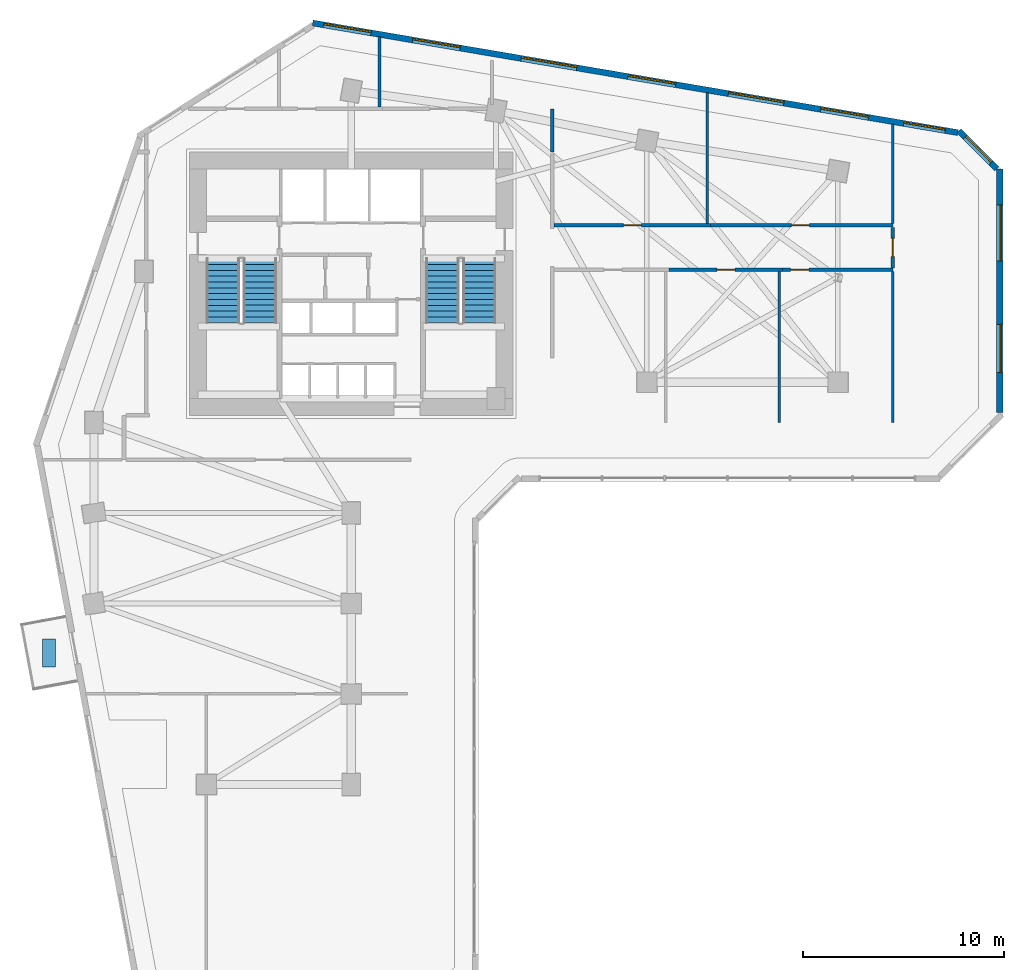
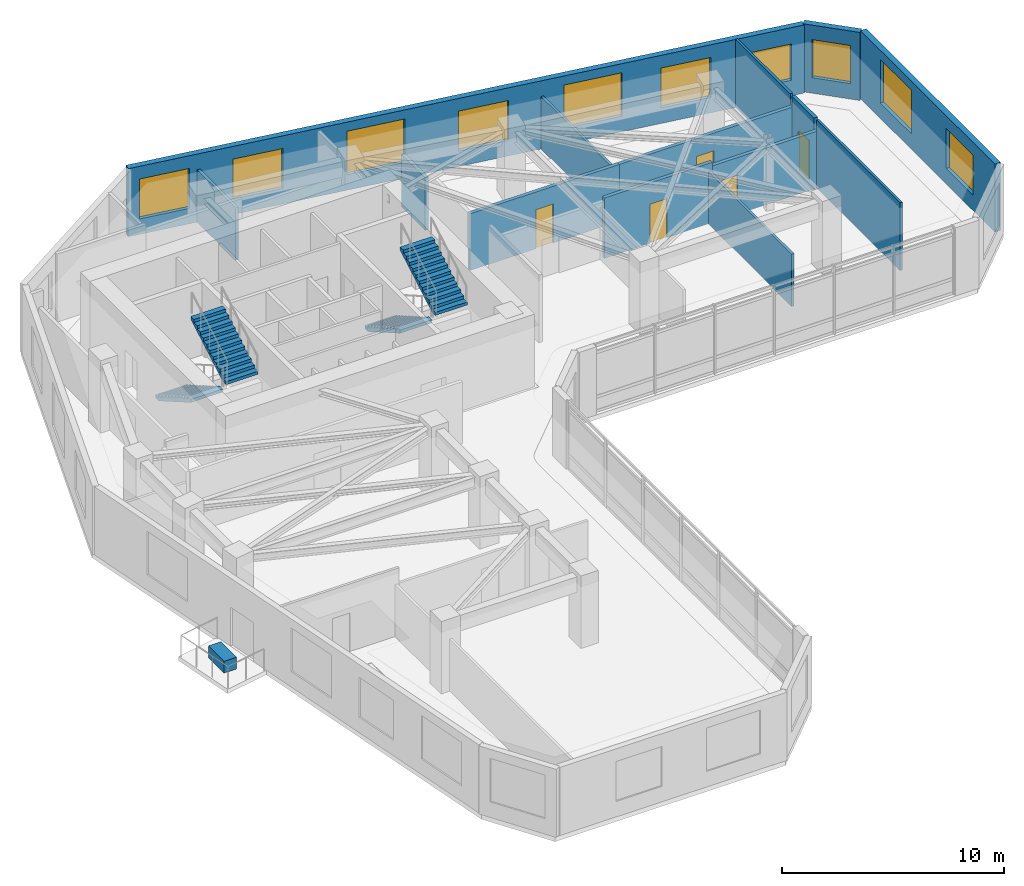
# One storey, part 7 of 9: 14 walls, 10 windows, 5 doors, 4 stair flights, 1 discrete accessory, 15 openings, 2 elements without a shape of their own.
"""IFC4 building model written with IfcOpenShell, lengths in metres."""

from ifc_helpers import new_model, si_unit, direction, frame, frame_2d, origin, origin_2d, place, context, subcontext, project, spatial, polyline, rectangle, outline, extrude, source, transform, mapped, material, layer, layer_set, type_object, element, fill, aggregate, save


model = new_model("IFC4")

# Units and contexts
model_context = context("Model", 3, precision=1e-05, world=origin(), true_north=direction((0.0, 1.0)))
body_context = subcontext(model_context, "Body", "Model", "MODEL_VIEW")
ifc_project = project(units=[si_unit("LENGTHUNIT", "METRE"), si_unit("AREAUNIT", "SQUARE_METRE"), si_unit("VOLUMEUNIT", "CUBIC_METRE"), si_unit("PLANEANGLEUNIT", "RADIAN"), si_unit("MASSUNIT", "GRAM", prefix="KILO")], contexts=[model_context])

# Site, building, storey
site_placement = place(None, origin())
site = spatial("IfcSite", under=ifc_project, at=site_placement, CompositionType="ELEMENT")
building_placement = place(site_placement, origin())
building = spatial("IfcBuilding", under=site, at=building_placement, Name="Calvemar Wedge Station Tower", CompositionType="ELEMENT")
storey_placement = place(building_placement, frame((0.0, 0.0, 71.0)))
storey = spatial("IfcBuildingStorey", under=building, at=storey_placement, Name="L17", CompositionType="ELEMENT", Elevation=71.0)

# Wall
ifc_material_1 = material(Name="Double-stud fire-rated corridor partition")
ifc_layer_1 = layer(ifc_material_1, 0.179931640625)
ifc_layer_set_1 = layer_set([ifc_layer_1], Name="Double-stud fire-rated corridor partition")
wall_type_1 = type_object("IfcWallType", Name="W-CORR-180", PredefinedType="PARTITIONING", material=ifc_layer_set_1)
wall_1_placement = place(storey_placement, frame((33.800048828125, 48.60009765625, 0.0), z_axis=(0.0, 0.0, 1.0), x_axis=(0.0, -1.0, 0.0)))
element("IfcWall", 1, at=wall_1_placement, inside=storey, type_object=wall_type_1, Name="Storey L17 Interior Partition WL-L17-014", PredefinedType="PARTITIONING", context=body_context, shape_type="SweptSolid", body=[
    extrude(rectangle(XDim=2.150146484375, YDim=0.179931640625, at=frame_2d((1.0751953125, 0.0))), origin(), (0.0, 0.0, 1.0), 2.89208984375),
])

# Wall, opening, door
wall_2_placement = place(storey_placement, frame((45.25, 40.60009765625, 0.0), z_axis=(0.0, 0.0, 1.0), x_axis=(-1.0, 0.0, 0.0)))
wall_2 = element("IfcWall", 2, at=wall_2_placement, inside=storey, type_object=wall_type_1, Name="Storey L17 Interior Partition WL-L17-021", PredefinedType="PARTITIONING", context=body_context, shape_type="SweptSolid", body=[
    extrude(rectangle(XDim=5.64306640625, YDim=0.179931640625, at=frame_2d((2.821533203125, 0.0))), origin(), (0.0, 0.0, 1.0), 3.322021484375),
])
shared_shape_1 = source(origin(), body_context, "Body", "SweptSolid", [
    extrude(rectangle(XDim=0.89990234375, YDim=2.14990234375, at=frame_2d((0.449951171875, 1.074951171875))), frame((0.0, 0.10009765625, 0.0), z_axis=(0.0, -1.0, 0.0), x_axis=(1.0, 0.0, 0.0)), (0.0, 0.0, 1.0), 0.199951171875),
])
opening_1_placement = place(wall_2_placement, frame((2.37158203125, 0.0, 0.0)))
opening_1 = element("IfcOpeningElement", 3, at=opening_1_placement, cuts=wall_2, Name="Opening D-01", PredefinedType="OPENING", context=body_context, shape_type="MappedRepresentation", body=[
    mapped(shared_shape_1, transform((0.0, 0.0, 0.0), scale=1.0)),
])
ifc_material_2 = material(Name="Architectural hardwood acoustic swing door", Category="wood")
door_type = type_object("IfcDoorType", Name="DR-INT-900", OperationType="NOTDEFINED", PredefinedType="DOOR", material=ifc_material_2)
shared_shape_2 = source(origin(), body_context, "Body", "SweptSolid", [
    extrude(rectangle(XDim=0.89990234375, YDim=2.14990234375, at=frame_2d((0.449951171875, 1.074951171875))), frame((0.0, 0.02490234375, 0.0), z_axis=(0.0, -1.0, 0.0), x_axis=(1.0, 0.0, 0.0)), (0.0, 0.0, 1.0), 0.050048828125),
])
door_1_placement = place(opening_1_placement, origin())
door_1 = element("IfcDoor", 4, at=door_1_placement, inside=storey, type_object=door_type, Name="L17 Co-Working Studio Door", OperationType="SINGLE_SWING_RIGHT", OverallHeight=2.14990234375, OverallWidth=0.89990234375, PredefinedType="DOOR", context=body_context, shape_type="MappedRepresentation", body=[
    mapped(shared_shape_2, transform((0.0, 0.0, 0.0), scale=1.0)),
])
fill(opening_1, door_1)

wall_3_placement = place(storey_placement, frame((50.735107421875, 40.60009765625, 0.0), z_axis=(0.0, 0.0, 1.0), x_axis=(-1.0, 0.0, 0.0)))
wall_3 = element("IfcWall", 5, at=wall_3_placement, inside=storey, type_object=wall_type_1, Name="Storey L17 Interior Partition WL-L17-022", PredefinedType="PARTITIONING", context=body_context, shape_type="SweptSolid", body=[
    extrude(rectangle(XDim=5.483154296875, YDim=0.179931640625, at=frame_2d((2.74169921875, 0.0))), origin(), (0.0, 0.0, 1.0), 3.125),
])
opening_2_placement = place(wall_3_placement, frame((4.18115234375, 0.0, 0.0)))
opening_2 = element("IfcOpeningElement", 6, at=opening_2_placement, cuts=wall_3, Name="Opening D-01", PredefinedType="OPENING", context=body_context, shape_type="MappedRepresentation", body=[
    mapped(shared_shape_1, transform((0.0, 0.0, 0.0), scale=1.0)),
])
door_2_placement = place(opening_2_placement, origin())
door_2 = element("IfcDoor", 7, at=door_2_placement, inside=storey, type_object=door_type, Name="L17 Meeting Room Door", OperationType="SINGLE_SWING_LEFT", OverallHeight=2.14990234375, OverallWidth=0.89990234375, PredefinedType="DOOR", context=body_context, shape_type="MappedRepresentation", body=[
    mapped(shared_shape_2, transform((0.0, 0.0, 0.0), scale=1.0)),
])
fill(opening_2, door_2)

wall_4_placement = place(storey_placement, frame((33.89404296875, 42.800048828125, 0.0), z_axis=(0.0, 0.0, 1.0), x_axis=(1.0, 0.0, 0.0)))
wall_4 = element("IfcWall", 8, at=wall_4_placement, inside=storey, type_object=wall_type_1, Name="Storey L17 Interior Partition WL-L17-023", PredefinedType="PARTITIONING", context=body_context, shape_type="SweptSolid", body=[
    extrude(rectangle(XDim=7.765869140625, YDim=0.179931640625, at=frame_2d((3.8828125, 0.0))), origin(), (0.0, 0.0, 1.0), 3.125),
])
opening_3_placement = place(wall_4_placement, frame((3.43310546875, 0.0, 0.0)))
opening_3 = element("IfcOpeningElement", 9, at=opening_3_placement, cuts=wall_4, Name="Opening D-01", PredefinedType="OPENING", context=body_context, shape_type="MappedRepresentation", body=[
    mapped(shared_shape_1, transform((0.0, 0.0, 0.0), scale=1.0)),
])
door_3_placement = place(opening_3_placement, origin())
door_3 = element("IfcDoor", 10, at=door_3_placement, inside=storey, type_object=door_type, Name="L17 Meeting Room Door", OperationType="SINGLE_SWING_RIGHT", OverallHeight=2.14990234375, OverallWidth=0.89990234375, PredefinedType="DOOR", context=body_context, shape_type="MappedRepresentation", body=[
    mapped(shared_shape_2, transform((0.0, 0.0, 0.0), scale=1.0)),
])
fill(opening_3, door_3)

wall_5_placement = place(storey_placement, frame((41.662109375, 42.800048828125, 0.0), z_axis=(0.0, 0.0, 1.0), x_axis=(1.0, 0.0, 0.0)))
wall_5 = element("IfcWall", 11, at=wall_5_placement, inside=storey, type_object=wall_type_1, Name="Storey L17 Interior Partition WL-L17-024", PredefinedType="PARTITIONING", context=body_context, shape_type="SweptSolid", body=[
    extrude(rectangle(XDim=9.072998046875, YDim=0.179931640625, at=frame_2d((4.53662109375, 0.0))), origin(), (0.0, 0.0, 1.0), 3.125),
])
opening_4_placement = place(wall_5_placement, frame((4.026123046875, 0.0, 0.0)))
opening_4 = element("IfcOpeningElement", 12, at=opening_4_placement, cuts=wall_5, Name="Opening D-01", PredefinedType="OPENING", context=body_context, shape_type="MappedRepresentation", body=[
    mapped(shared_shape_1, transform((0.0, 0.0, 0.0), scale=1.0)),
])
door_4_placement = place(opening_4_placement, origin())
door_4 = element("IfcDoor", 13, at=door_4_placement, inside=storey, type_object=door_type, Name="L17 Co-Working Studio Door", OperationType="SINGLE_SWING_LEFT", OverallHeight=2.14990234375, OverallWidth=0.89990234375, PredefinedType="DOOR", context=body_context, shape_type="MappedRepresentation", body=[
    mapped(shared_shape_2, transform((0.0, 0.0, 0.0), scale=1.0)),
])
fill(opening_4, door_4)

wall_6_placement = place(storey_placement, frame((50.735107421875, 42.7060546875, 0.0), z_axis=(0.0, 0.0, 1.0), x_axis=(0.0, -1.0, 0.0)))
wall_6 = element("IfcWall", 14, at=wall_6_placement, inside=storey, type_object=wall_type_1, Name="Storey L17 Interior Partition WL-L17-025", PredefinedType="PARTITIONING", context=body_context, shape_type="SweptSolid", body=[
    extrude(rectangle(XDim=2.011962890625, YDim=0.179931640625, at=frame_2d((1.005859375, 0.0))), origin(), (0.0, 0.0, 1.0), 3.75),
])
opening_5_placement = place(wall_6_placement, frame((0.555908203125, 0.0, 0.0)))
opening_5 = element("IfcOpeningElement", 15, at=opening_5_placement, cuts=wall_6, Name="Opening D-01", PredefinedType="OPENING", context=body_context, shape_type="MappedRepresentation", body=[
    mapped(shared_shape_1, transform((0.0, 0.0, 0.0), scale=1.0)),
])
door_5_placement = place(opening_5_placement, origin())
door_5 = element("IfcDoor", 16, at=door_5_placement, inside=storey, type_object=door_type, Name="L17 Conference Hall Door", OperationType="SINGLE_SWING_RIGHT", OverallHeight=2.14990234375, OverallWidth=0.89990234375, PredefinedType="DOOR", context=body_context, shape_type="MappedRepresentation", body=[
    mapped(shared_shape_2, transform((0.0, 0.0, 0.0), scale=1.0)),
])
fill(opening_5, door_5)

# Wall, openings, windows
ifc_material_3 = material(Name="Precast concrete C45", Category="concrete")
ifc_layer_2 = layer(ifc_material_3, 0.300048828125)
ifc_layer_set_2 = layer_set([ifc_layer_2], Name="Precast concrete C45")
wall_type_2 = type_object("IfcWallType", Name="W-EXT-GFRC-300", PredefinedType="SOLIDWALL", material=ifc_layer_set_2)
wall_7_placement = place(storey_placement, frame((56.050048828125, 33.4853515625, 0.0), z_axis=(0.0, 0.0, 1.0), x_axis=(0.0, 1.0, 0.0)))
wall_7 = element("IfcWall", 17, at=wall_7_placement, inside=storey, type_object=wall_type_2, Name="Storey L17 Bronze GFRC Exterior Wall 8", PredefinedType="SOLIDWALL", context=body_context, shape_type="SweptSolid", body=[
    extrude(rectangle(XDim=12.130615234375, YDim=0.300048828125, at=frame_2d((6.0654296875, 0.0))), origin(), (0.0, 0.0, 1.0), 3.75),
])
shared_shape_3 = source(origin(), body_context, "Body", "SweptSolid", [
    extrude(rectangle(XDim=2.39990234375, YDim=2.199951171875, at=frame_2d((1.199951171875, 1.10009765625))), frame((0.0, 0.16015625, 0.0), z_axis=(0.0, -1.0, 0.0), x_axis=(1.0, 0.0, 0.0)), (0.0, 0.0, 1.0), 0.320068359375),
])
opening_6_placement = place(wall_7_placement, frame((1.992919921875, 0.0, 0.85009765625)))
opening_6 = element("IfcOpeningElement", 18, at=opening_6_placement, cuts=wall_7, Name="Opening W1", PredefinedType="OPENING", context=body_context, shape_type="MappedRepresentation", body=[
    mapped(shared_shape_3, transform((0.0, 0.0, 0.0), scale=1.0)),
])
shared_shape_4 = source(origin(), body_context, "Body", "SweptSolid", [
    extrude(rectangle(XDim=2.800048828125, YDim=2.39990234375, at=frame_2d((1.39990234375, 1.199951171875))), frame((0.0, 0.16015625, 0.0), z_axis=(0.0, -1.0, 0.0), x_axis=(1.0, 0.0, 0.0)), (0.0, 0.0, 1.0), 0.320068359375),
])
opening_7_placement = place(wall_7_placement, frame((7.5380859375, 0.0, 0.85009765625)))
opening_7 = element("IfcOpeningElement", 19, at=opening_7_placement, cuts=wall_7, Name="Opening W6", PredefinedType="OPENING", context=body_context, shape_type="MappedRepresentation", body=[
    mapped(shared_shape_4, transform((0.0, 0.0, 0.0), scale=1.0)),
])
ifc_material_4 = material(Name="Low-E laminated insulated glass", Category="glass")
window_type_1 = type_object("IfcWindowType", Name="WIN-EXT-6", PartitioningType="SINGLE_PANEL", PredefinedType="WINDOW", material=ifc_material_4)
shared_shape_5 = source(origin(), body_context, "Body", "SweptSolid", [
    extrude(rectangle(XDim=2.800048828125, YDim=2.39990234375, at=frame_2d((1.39990234375, 1.199951171875))), frame((0.0, -0.014892578125, 0.0), z_axis=(0.0, -1.0, 0.0), x_axis=(1.0, 0.0, 0.0)), (0.0, 0.0, 1.0), 0.06005859375),
])
window_1_placement = place(opening_7_placement, origin())
window_1 = element("IfcWindow", 20, at=window_1_placement, inside=storey, type_object=window_type_1, Name="Storey L17 Recessed Window 8.2", OverallHeight=2.39990234375, OverallWidth=2.800048828125, PartitioningType="SINGLE_PANEL", PredefinedType="WINDOW", context=body_context, shape_type="MappedRepresentation", body=[
    mapped(shared_shape_5, transform((0.0, 0.0, 0.0), scale=1.0)),
])
fill(opening_7, window_1)
window_type_2 = type_object("IfcWindowType", Name="WIN-EXT-1", PartitioningType="SINGLE_PANEL", PredefinedType="WINDOW", material=ifc_material_4)
shared_shape_6 = source(origin(), body_context, "Body", "SweptSolid", [
    extrude(rectangle(XDim=2.39990234375, YDim=2.199951171875, at=frame_2d((1.199951171875, 1.10009765625))), frame((0.0, -0.014892578125, 0.0), z_axis=(0.0, -1.0, 0.0), x_axis=(1.0, 0.0, 0.0)), (0.0, 0.0, 1.0), 0.06005859375),
])
window_2_placement = place(opening_6_placement, origin())
window_2 = element("IfcWindow", 21, at=window_2_placement, inside=storey, type_object=window_type_2, Name="Storey L17 Recessed Window 8.1", OverallHeight=2.199951171875, OverallWidth=2.39990234375, PartitioningType="SINGLE_PANEL", PredefinedType="WINDOW", context=body_context, shape_type="MappedRepresentation", body=[
    mapped(shared_shape_6, transform((0.0, 0.0, 0.0), scale=1.0)),
])
fill(opening_6, window_2)

# Wall, opening, window
wall_8_placement = place(storey_placement, frame((55.912109375, 45.60400390625, 0.0), z_axis=(0.0, 0.0, 1.0), x_axis=(-0.707152443695, 0.707061115729, 0.0)))
wall_8 = element("IfcWall", 22, at=wall_8_placement, inside=storey, type_object=wall_type_2, Name="Storey L17 Bronze GFRC Exterior Wall 9", PredefinedType="SOLIDWALL", context=body_context, shape_type="SweptSolid", body=[
    extrude(rectangle(XDim=2.67333984375, YDim=0.300048828125, at=frame_2d((1.336669921875, 0.0))), origin(), (0.0, 0.0, 1.0), 3.75),
])
shared_shape_7 = source(origin(), body_context, "Body", "SweptSolid", [
    extrude(rectangle(XDim=1.800048828125, YDim=2.10009765625, at=frame_2d((0.89990234375, 1.050048828125))), frame((0.0, 0.16015625, 0.0), z_axis=(0.0, -1.0, 0.0), x_axis=(1.0, 0.0, 0.0)), (0.0, 0.0, 1.0), 0.320068359375),
])
opening_8_placement = place(wall_8_placement, frame((0.43701171875, 0.0, 0.85009765625)))
opening_8 = element("IfcOpeningElement", 23, at=opening_8_placement, cuts=wall_8, Name="Opening W2", PredefinedType="OPENING", context=body_context, shape_type="MappedRepresentation", body=[
    mapped(shared_shape_7, transform((0.0, 0.0, 0.0), scale=1.0)),
])
window_type_3 = type_object("IfcWindowType", Name="WIN-EXT-2", PartitioningType="SINGLE_PANEL", PredefinedType="WINDOW", material=ifc_material_4)
shared_shape_8 = source(origin(), body_context, "Body", "SweptSolid", [
    extrude(rectangle(XDim=1.800048828125, YDim=2.10009765625, at=frame_2d((0.89990234375, 1.050048828125))), frame((0.0, -0.014892578125, 0.0), z_axis=(0.0, -1.0, 0.0), x_axis=(1.0, 0.0, 0.0)), (0.0, 0.0, 1.0), 0.06005859375),
])
window_3_placement = place(opening_8_placement, origin())
window_3 = element("IfcWindow", 24, at=window_3_placement, inside=storey, type_object=window_type_3, Name="Storey L17 Recessed Window 9.1", OverallHeight=2.10009765625, OverallWidth=1.800048828125, PartitioningType="SINGLE_PANEL", PredefinedType="WINDOW", context=body_context, shape_type="MappedRepresentation", body=[
    mapped(shared_shape_8, transform((0.0, 0.0, 0.0), scale=1.0)),
])
fill(opening_8, window_3)

# Wall, openings, windows
wall_9_placement = place(storey_placement, frame((53.9609375, 47.41650390625, 0.0), z_axis=(0.0, 0.0, 1.0), x_axis=(-0.985865713455, 0.167537443678, 0.0)))
wall_9 = element("IfcWall", 25, at=wall_9_placement, inside=storey, type_object=wall_type_2, Name="Storey L17 Bronze GFRC Exterior Wall 10", PredefinedType="SOLIDWALL", context=body_context, shape_type="SweptSolid", body=[
    extrude(rectangle(XDim=32.537109375, YDim=0.300048828125, at=frame_2d((16.2685546875, 0.0))), origin(), (0.0, 0.0, 1.0), 3.75),
])
shared_shape_9 = source(origin(), body_context, "Body", "SweptSolid", [
    extrude(rectangle(XDim=2.10009765625, YDim=2.0, at=frame_2d((1.050048828125, 1.0))), frame((0.0, 0.16015625, 0.0), z_axis=(0.0, -1.0, 0.0), x_axis=(1.0, 0.0, 0.0)), (0.0, 0.0, 1.0), 0.320068359375),
])
opening_9_placement = place(wall_9_placement, frame((0.6259765625, 0.0, 0.85009765625)))
opening_9 = element("IfcOpeningElement", 26, at=opening_9_placement, cuts=wall_9, Name="Opening W4", PredefinedType="OPENING", context=body_context, shape_type="MappedRepresentation", body=[
    mapped(shared_shape_9, transform((0.0, 0.0, 0.0), scale=1.0)),
])
opening_10_placement = place(wall_9_placement, frame((4.50390625, 0.0, 0.85009765625)))
opening_10 = element("IfcOpeningElement", 27, at=opening_10_placement, cuts=wall_9, Name="Opening W1", PredefinedType="OPENING", context=body_context, shape_type="MappedRepresentation", body=[
    mapped(shared_shape_3, transform((0.0, 0.0, 0.0), scale=1.0)),
])
opening_11_placement = place(wall_9_placement, frame((8.76806640625, 0.0, 0.85009765625)))
opening_11 = element("IfcOpeningElement", 28, at=opening_11_placement, cuts=wall_9, Name="Opening W6", PredefinedType="OPENING", context=body_context, shape_type="MappedRepresentation", body=[
    mapped(shared_shape_4, transform((0.0, 0.0, 0.0), scale=1.0)),
])
opening_12_placement = place(wall_9_placement, frame((14.23388671875, 0.0, 0.85009765625)))
opening_12 = element("IfcOpeningElement", 29, at=opening_12_placement, cuts=wall_9, Name="Opening W1", PredefinedType="OPENING", context=body_context, shape_type="MappedRepresentation", body=[
    mapped(shared_shape_3, transform((0.0, 0.0, 0.0), scale=1.0)),
])
opening_13_placement = place(wall_9_placement, frame((19.221923828125, 0.0, 0.85009765625)))
opening_13 = element("IfcOpeningElement", 30, at=opening_13_placement, cuts=wall_9, Name="Opening W6", PredefinedType="OPENING", context=body_context, shape_type="MappedRepresentation", body=[
    mapped(shared_shape_4, transform((0.0, 0.0, 0.0), scale=1.0)),
])
opening_14_placement = place(wall_9_placement, frame((25.094970703125, 0.0, 0.85009765625)))
opening_14 = element("IfcOpeningElement", 31, at=opening_14_placement, cuts=wall_9, Name="Opening W1", PredefinedType="OPENING", context=body_context, shape_type="MappedRepresentation", body=[
    mapped(shared_shape_3, transform((0.0, 0.0, 0.0), scale=1.0)),
])
opening_15_placement = place(wall_9_placement, frame((29.594970703125, 0.0, 0.85009765625)))
opening_15 = element("IfcOpeningElement", 32, at=opening_15_placement, cuts=wall_9, Name="Opening W1", PredefinedType="OPENING", context=body_context, shape_type="MappedRepresentation", body=[
    mapped(shared_shape_3, transform((0.0, 0.0, 0.0), scale=1.0)),
])
window_type_4 = type_object("IfcWindowType", Name="WIN-EXT-4", PartitioningType="SINGLE_PANEL", PredefinedType="WINDOW", material=ifc_material_4)
shared_shape_10 = source(origin(), body_context, "Body", "SweptSolid", [
    extrude(rectangle(XDim=2.10009765625, YDim=2.0, at=frame_2d((1.050048828125, 1.0))), frame((0.0, -0.014892578125, 0.0), z_axis=(0.0, -1.0, 0.0), x_axis=(1.0, 0.0, 0.0)), (0.0, 0.0, 1.0), 0.06005859375),
])
window_4_placement = place(opening_9_placement, origin())
window_4 = element("IfcWindow", 33, at=window_4_placement, inside=storey, type_object=window_type_4, Name="Storey L17 Recessed Window 10.1", OverallHeight=2.0, OverallWidth=2.10009765625, PartitioningType="SINGLE_PANEL", PredefinedType="WINDOW", context=body_context, shape_type="MappedRepresentation", body=[
    mapped(shared_shape_10, transform((0.0, 0.0, 0.0), scale=1.0)),
])
fill(opening_9, window_4)
window_5_placement = place(opening_11_placement, origin())
window_5 = element("IfcWindow", 34, at=window_5_placement, inside=storey, type_object=window_type_1, Name="Storey L17 Recessed Window 10.3", OverallHeight=2.39990234375, OverallWidth=2.800048828125, PartitioningType="SINGLE_PANEL", PredefinedType="WINDOW", context=body_context, shape_type="MappedRepresentation", body=[
    mapped(shared_shape_5, transform((0.0, 0.0, 0.0), scale=1.0)),
])
fill(opening_11, window_5)
window_6_placement = place(opening_13_placement, origin())
window_6 = element("IfcWindow", 35, at=window_6_placement, inside=storey, type_object=window_type_1, Name="Storey L17 Recessed Window 10.5", OverallHeight=2.39990234375, OverallWidth=2.800048828125, PartitioningType="SINGLE_PANEL", PredefinedType="WINDOW", context=body_context, shape_type="MappedRepresentation", body=[
    mapped(shared_shape_5, transform((0.0, 0.0, 0.0), scale=1.0)),
])
fill(opening_13, window_6)
window_7_placement = place(opening_10_placement, origin())
window_7 = element("IfcWindow", 36, at=window_7_placement, inside=storey, type_object=window_type_2, Name="Storey L17 Recessed Window 10.2", OverallHeight=2.199951171875, OverallWidth=2.39990234375, PartitioningType="SINGLE_PANEL", PredefinedType="WINDOW", context=body_context, shape_type="MappedRepresentation", body=[
    mapped(shared_shape_6, transform((0.0, 0.0, 0.0), scale=1.0)),
])
fill(opening_10, window_7)
window_8_placement = place(opening_12_placement, origin())
window_8 = element("IfcWindow", 37, at=window_8_placement, inside=storey, type_object=window_type_2, Name="Storey L17 Recessed Window 10.4", OverallHeight=2.199951171875, OverallWidth=2.39990234375, PartitioningType="SINGLE_PANEL", PredefinedType="WINDOW", context=body_context, shape_type="MappedRepresentation", body=[
    mapped(shared_shape_6, transform((0.0, 0.0, 0.0), scale=1.0)),
])
fill(opening_12, window_8)
window_9_placement = place(opening_14_placement, origin())
window_9 = element("IfcWindow", 38, at=window_9_placement, inside=storey, type_object=window_type_2, Name="Storey L17 Recessed Window 10.6", OverallHeight=2.199951171875, OverallWidth=2.39990234375, PartitioningType="SINGLE_PANEL", PredefinedType="WINDOW", context=body_context, shape_type="MappedRepresentation", body=[
    mapped(shared_shape_6, transform((0.0, 0.0, 0.0), scale=1.0)),
])
fill(opening_14, window_9)
window_10_placement = place(opening_15_placement, origin())
window_10 = element("IfcWindow", 39, at=window_10_placement, inside=storey, type_object=window_type_2, Name="Storey L17 Recessed Window 10.7", OverallHeight=2.199951171875, OverallWidth=2.39990234375, PartitioningType="SINGLE_PANEL", PredefinedType="WINDOW", context=body_context, shape_type="MappedRepresentation", body=[
    mapped(shared_shape_6, transform((0.0, 0.0, 0.0), scale=1.0)),
])
fill(opening_15, window_10)

# Walls
ifc_material_5 = material(Name="Insulated acoustic gypsum stud partition")
ifc_layer_3 = layer(ifc_material_5, 0.125)
ifc_layer_set_3 = layer_set([ifc_layer_3], Name="Insulated acoustic gypsum stud partition")
wall_type_3 = type_object("IfcWallType", Name="W-PART-125", PredefinedType="PARTITIONING", material=ifc_layer_set_3)
wall_10_placement = place(storey_placement, frame((45.090087890625, 40.506103515625, 0.0), z_axis=(0.0, 0.0, 1.0), x_axis=(0.0, -1.0, 0.0)))
element("IfcWall", 40, at=wall_10_placement, inside=storey, type_object=wall_type_3, Name="Storey L17 Interior Partition WL-L17-027", PredefinedType="PARTITIONING", context=body_context, shape_type="SweptSolid", body=[
    extrude(rectangle(XDim=7.506103515625, YDim=0.125, at=frame_2d((3.7529296875, 0.0))), origin(), (0.0, 0.0, 1.0), 2.89208984375),
])
wall_11_placement = place(storey_placement, frame((50.735107421875, 40.506103515625, 0.0), z_axis=(0.0, 0.0, 1.0), x_axis=(0.0, -1.0, 0.0)))
element("IfcWall", 41, at=wall_11_placement, inside=storey, type_object=wall_type_3, Name="Storey L17 Interior Partition WL-L17-028", PredefinedType="PARTITIONING", context=body_context, shape_type="SweptSolid", body=[
    extrude(rectangle(XDim=7.506103515625, YDim=0.125, at=frame_2d((3.7529296875, 0.0))), origin(), (0.0, 0.0, 1.0), 3.75),
])
wall_12_placement = place(storey_placement, frame((41.5, 49.41748046875, 0.0), z_axis=(0.0, 0.0, 1.0), x_axis=(0.0, -1.0, 0.0)))
element("IfcWall", 42, at=wall_12_placement, inside=storey, type_object=wall_type_3, Name="Storey L17 Interior Partition WL-L17-029", PredefinedType="PARTITIONING", context=body_context, shape_type="SweptSolid", body=[
    extrude(rectangle(XDim=6.5234375, YDim=0.125, at=frame_2d((3.26171875, 0.0))), origin(), (0.0, 0.0, 1.0), 2.89208984375),
])
wall_13_placement = place(storey_placement, frame((50.735107421875, 47.847900390625, 0.0), z_axis=(0.0, 0.0, 1.0), x_axis=(0.0, -1.0, 0.0)))
element("IfcWall", 43, at=wall_13_placement, inside=storey, type_object=wall_type_3, Name="Storey L17 Interior Partition WL-L17-030", PredefinedType="PARTITIONING", context=body_context, shape_type="SweptSolid", body=[
    extrude(rectangle(XDim=4.953857421875, YDim=0.125, at=frame_2d((2.47705078125, 0.0))), origin(), (0.0, 0.0, 1.0), 3.75),
])
ifc_material_6 = material(Name="Moisture-resistant acoustic bathroom partition")
ifc_layer_4 = layer(ifc_material_6, 0.14990234375)
ifc_layer_set_4 = layer_set([ifc_layer_4], Name="Moisture-resistant acoustic bathroom partition")
wall_type_4 = type_object("IfcWallType", Name="W-WET-150", PredefinedType="PARTITIONING", material=ifc_layer_set_4)
wall_14_placement = place(storey_placement, frame((25.199951171875, 52.1875, 0.0), z_axis=(0.0, 0.0, 1.0), x_axis=(0.0, -1.0, 0.0)))
element("IfcWall", 44, at=wall_14_placement, inside=storey, type_object=wall_type_4, Name="Storey L17 Interior Partition WL-L17-019", PredefinedType="PARTITIONING", context=body_context, shape_type="SweptSolid", body=[
    extrude(rectangle(XDim=3.493408203125, YDim=0.14990234375, at=frame_2d((1.74658203125, 0.0))), origin(), (0.0, 0.0, 1.0), 2.89208984375),
])

# Stair, stair flights
ifc_material_7 = material(Name="Concrete C45", Category="concrete")
stair_type = type_object("IfcStairType", Name="ST-TYPE-4000", PredefinedType="HALF_TURN_STAIR", material=ifc_material_7)
stair_1_placement = place(storey_placement, origin())
stair_1 = element("IfcStair", 45, at=stair_1_placement, inside=storey, type_object=stair_type, Name="L17 Pressurized Core Exit Stair ST-C1", PredefinedType="HALF_TURN_STAIR")
stair_flight_type = type_object("IfcStairFlightType", Name="STF-TYPE-4000", PredefinedType="STRAIGHT", material=ifc_material_7)
stair_flight_1_placement = place(storey_placement, frame((17.429931640625, 41.14990234375, 0.0), z_axis=(0.0, 0.0, 1.0), x_axis=(0.0, -1.0, 0.0)))
stair_flight_1 = element("IfcStairFlight", 46, at=stair_flight_1_placement, type_object=stair_flight_type, Name="ST-C1 flight 1", NumberOfRisers=12, NumberOfTreads=11, PredefinedType="STRAIGHT", RiserHeight=0.166666667, TreadLength=0.29, context=body_context, shape_type="SweptSolid", body=[
    extrude(outline(polyline([(0.0, 0.0), (0.0, 0.166748046875), (0.2900390625, 0.166748046875), (0.2900390625, 0.333251953125), (0.580078125, 0.333251953125), (0.580078125, 0.5), (0.8701171875, 0.5), (0.8701171875, 0.666748046875), (1.159912109375, 0.666748046875), (1.159912109375, 0.833251953125), (1.449951171875, 0.833251953125), (1.449951171875, 1.0), (1.739990234375, 1.0), (1.739990234375, 1.166748046875), (2.030029296875, 1.166748046875), (2.030029296875, 1.333251953125), (2.320068359375, 1.333251953125), (2.320068359375, 1.5), (2.610107421875, 1.5), (2.610107421875, 1.666748046875), (2.89990234375, 1.666748046875), (2.89990234375, 1.833251953125), (3.18994140625, 1.833251953125), (3.18994140625, 2.0), (3.18994140625, 1.660400390625), (0.30078125, 0.0), (0.0, 0.0)])), frame((0.0, 0.830078125, 0.0), z_axis=(0.0, -1.0, 0.0), x_axis=(1.0, 0.0, 0.0)), (0.0, 0.0, 1.0), 1.659912109375),
])
stair_flight_2_placement = place(storey_placement, frame((19.27001953125, 37.9599609375, 2.0), z_axis=(0.0, 0.0, 1.0), x_axis=(0.0, 1.0, 0.0)))
stair_flight_2 = element("IfcStairFlight", 47, at=stair_flight_2_placement, type_object=stair_flight_type, Name="ST-C1 flight 2", NumberOfRisers=12, NumberOfTreads=11, PredefinedType="STRAIGHT", RiserHeight=0.166666667, TreadLength=0.29, context=body_context, shape_type="SweptSolid", body=[
    extrude(outline(polyline([(0.0, 0.0), (0.0, 0.166748046875), (0.2900390625, 0.166748046875), (0.2900390625, 0.333251953125), (0.580078125, 0.333251953125), (0.580078125, 0.5), (0.8701171875, 0.5), (0.8701171875, 0.666748046875), (1.159912109375, 0.666748046875), (1.159912109375, 0.833251953125), (1.449951171875, 0.833251953125), (1.449951171875, 1.0), (1.739990234375, 1.0), (1.739990234375, 1.166748046875), (2.030029296875, 1.166748046875), (2.030029296875, 1.333251953125), (2.320068359375, 1.333251953125), (2.320068359375, 1.5), (2.610107421875, 1.5), (2.610107421875, 1.666748046875), (2.89990234375, 1.666748046875), (2.89990234375, 1.833251953125), (3.18994140625, 1.833251953125), (3.18994140625, 2.0), (3.18994140625, 1.660400390625), (0.30078125, 0.0), (0.0, 0.0)])), frame((0.0, 0.830078125, 0.0), z_axis=(0.0, -1.0, 0.0), x_axis=(1.0, 0.0, 0.0)), (0.0, 0.0, 1.0), 1.659912109375),
])
aggregate(stair_1, [stair_flight_1, stair_flight_2])

stair_2_placement = place(storey_placement, origin())
stair_2 = element("IfcStair", 48, at=stair_2_placement, inside=storey, type_object=stair_type, Name="L17 Pressurized Core Exit Stair ST-C2", PredefinedType="HALF_TURN_STAIR")
stair_flight_3_placement = place(storey_placement, frame((28.330078125, 41.14990234375, 0.0), z_axis=(0.0, 0.0, 1.0), x_axis=(0.0, -1.0, 0.0)))
stair_flight_3 = element("IfcStairFlight", 49, at=stair_flight_3_placement, type_object=stair_flight_type, Name="ST-C2 flight 1", NumberOfRisers=12, NumberOfTreads=11, PredefinedType="STRAIGHT", RiserHeight=0.166666667, TreadLength=0.29, context=body_context, shape_type="SweptSolid", body=[
    extrude(outline(polyline([(0.0, 0.0), (0.0, 0.166748046875), (0.2900390625, 0.166748046875), (0.2900390625, 0.333251953125), (0.580078125, 0.333251953125), (0.580078125, 0.5), (0.8701171875, 0.5), (0.8701171875, 0.666748046875), (1.159912109375, 0.666748046875), (1.159912109375, 0.833251953125), (1.449951171875, 0.833251953125), (1.449951171875, 1.0), (1.739990234375, 1.0), (1.739990234375, 1.166748046875), (2.030029296875, 1.166748046875), (2.030029296875, 1.333251953125), (2.320068359375, 1.333251953125), (2.320068359375, 1.5), (2.610107421875, 1.5), (2.610107421875, 1.666748046875), (2.89990234375, 1.666748046875), (2.89990234375, 1.833251953125), (3.18994140625, 1.833251953125), (3.18994140625, 2.0), (3.18994140625, 1.660400390625), (0.30078125, 0.0), (0.0, 0.0)])), frame((0.0, 0.830078125, 0.0), z_axis=(0.0, -1.0, 0.0), x_axis=(1.0, 0.0, 0.0)), (0.0, 0.0, 1.0), 1.659912109375),
])
stair_flight_4_placement = place(storey_placement, frame((30.169921875, 37.9599609375, 2.0), z_axis=(0.0, 0.0, 1.0), x_axis=(0.0, 1.0, 0.0)))
stair_flight_4 = element("IfcStairFlight", 50, at=stair_flight_4_placement, type_object=stair_flight_type, Name="ST-C2 flight 2", NumberOfRisers=12, NumberOfTreads=11, PredefinedType="STRAIGHT", RiserHeight=0.166666667, TreadLength=0.29, context=body_context, shape_type="SweptSolid", body=[
    extrude(outline(polyline([(0.0, 0.0), (0.0, 0.166748046875), (0.2900390625, 0.166748046875), (0.2900390625, 0.333251953125), (0.580078125, 0.333251953125), (0.580078125, 0.5), (0.8701171875, 0.5), (0.8701171875, 0.666748046875), (1.159912109375, 0.666748046875), (1.159912109375, 0.833251953125), (1.449951171875, 0.833251953125), (1.449951171875, 1.0), (1.739990234375, 1.0), (1.739990234375, 1.166748046875), (2.030029296875, 1.166748046875), (2.030029296875, 1.333251953125), (2.320068359375, 1.333251953125), (2.320068359375, 1.5), (2.610107421875, 1.5), (2.610107421875, 1.666748046875), (2.89990234375, 1.666748046875), (2.89990234375, 1.833251953125), (3.18994140625, 1.833251953125), (3.18994140625, 2.0), (3.18994140625, 1.660400390625), (0.30078125, 0.0), (0.0, 0.0)])), frame((0.0, 0.830078125, 0.0), z_axis=(0.0, -1.0, 0.0), x_axis=(1.0, 0.0, 0.0)), (0.0, 0.0, 1.0), 1.659912109375),
])
aggregate(stair_2, [stair_flight_3, stair_flight_4])

# Discrete accessory
discrete_accessory_type = type_object("IfcDiscreteAccessoryType", Name="ACC-PLANTER", PredefinedType="USERDEFINED", material=ifc_material_3)
shared_shape_11 = source(origin(), body_context, "Body", "SweptSolid", [
    extrude(rectangle(XDim=0.64990234375, YDim=1.39990234375, at=origin_2d()), origin(), (0.0, 0.0, 1.0), 0.64990234375),
])
discrete_accessory_placement = place(storey_placement, frame((8.76806640625, 21.5400390625, 0.0), z_axis=(0.0, 0.0, 1.0), x_axis=(1.0, 0.0, 0.0)))
element("IfcDiscreteAccessory", 51, at=discrete_accessory_placement, inside=storey, type_object=discrete_accessory_type, Name="Storey L17 Planted Terrace GFRC Planter", ObjectType="PLANTER", PredefinedType="USERDEFINED", context=body_context, shape_type="MappedRepresentation", body=[
    mapped(shared_shape_11, transform((0.0, 0.0, 0.0), scale=1.0)),
])

save(model, "model.ifc")
